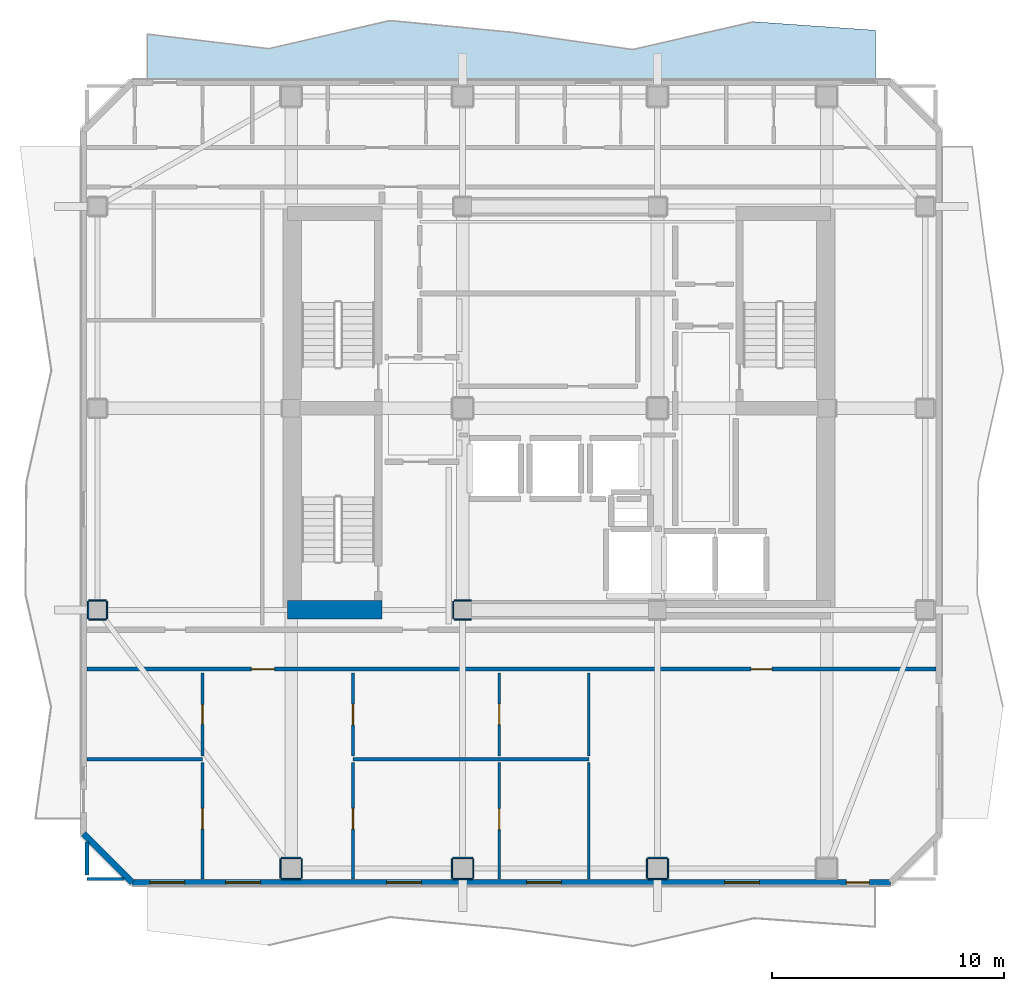
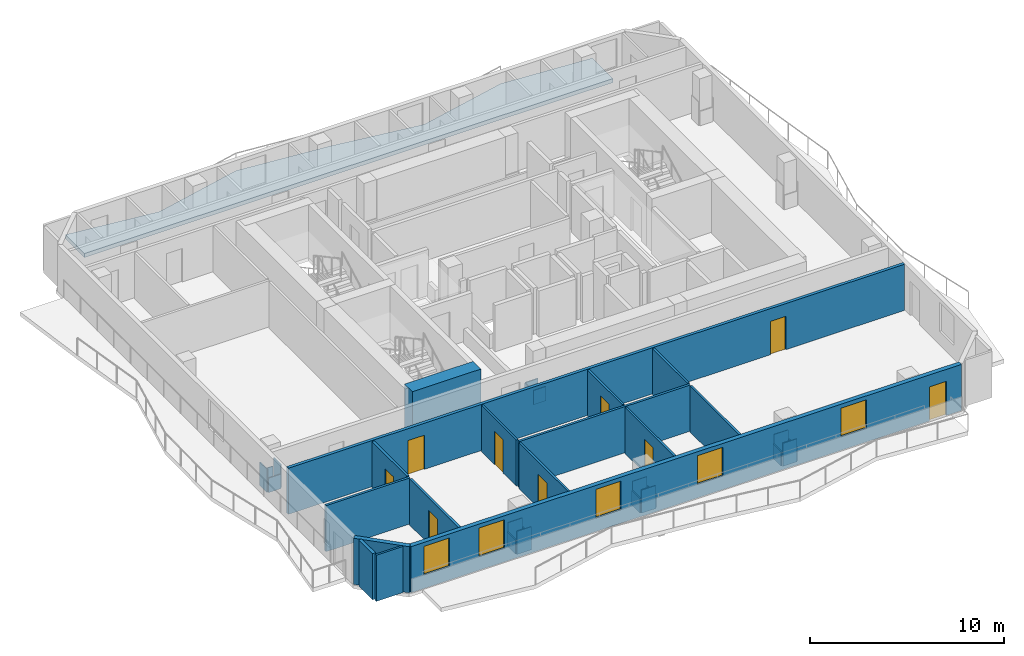
# One storey, part 2 of 10: 35 walls, 9 doors, 5 windows, 1 slab, 14 openings.
"""IFC4 building model written with IfcOpenShell, lengths in metres."""

from ifc_helpers import new_model, si_unit, direction, frame, frame_2d, origin, place, context, subcontext, project, spatial, polyline, rectangle, outline, extrude, material, layer, layer_set, type_object, element, fill, save


model = new_model("IFC4")

# Units and contexts
model_context = context("Model", 3, precision=1e-05, world=origin(), true_north=direction((0.0, 1.0)))
body_context = subcontext(model_context, "Body", "Model", "MODEL_VIEW")
ifc_project = project(units=[si_unit("LENGTHUNIT", "METRE"), si_unit("AREAUNIT", "SQUARE_METRE"), si_unit("VOLUMEUNIT", "CUBIC_METRE"), si_unit("PLANEANGLEUNIT", "RADIAN"), si_unit("MASSUNIT", "GRAM", prefix="KILO")], contexts=[model_context])

# Site, building, storey
site_placement = place(None, origin())
site = spatial("IfcSite", under=ifc_project, at=site_placement, CompositionType="ELEMENT")
building_placement = place(site_placement, origin())
building = spatial("IfcBuilding", under=site, at=building_placement, Name="Solanera Arch Residences", CompositionType="ELEMENT")
storey_placement = place(building_placement, frame((0.0, 0.0, 206.760009765625)))
storey = spatial("IfcBuildingStorey", under=building, at=storey_placement, Name="L60", CompositionType="ELEMENT", Elevation=206.760009765625)

# Slab
ifc_material_1 = material(Name="Concrete C40/50 (f'c = 45 MPa)", Category="concrete")
ifc_layer_1 = layer(ifc_material_1, 0.25)
ifc_layer_set_1 = layer_set([ifc_layer_1], Name="Concrete C40/50 (f'c = 45 MPa)")
slab_type = type_object("IfcSlabType", Name="Balcony Slab 250", PredefinedType="FLOOR", material=ifc_layer_set_1)
slab_placement = place(storey_placement, frame((0.0, 0.0, -0.25)))
element("IfcSlab", 1, at=slab_placement, inside=storey, type_object=slab_type, Name="L60 N Rippling Brise-Soleil Balcony Slab", PredefinedType="FLOOR", context=body_context, shape_type="SweptSolid", body=[
    extrude(outline(polyline([(38.60009765625, 47.006103515625), (33.366943359375, 47.3740234375), (28.133056640625, 46.177001953125), (22.89990234375, 46.923095703125), (17.6669921875, 47.425048828125), (12.43310546875, 46.2119140625), (7.199951171875, 46.840087890625), (7.199951171875, 44.8798828125), (38.60009765625, 44.8798828125), (38.60009765625, 47.006103515625)])), origin(), (0.0, 0.0, 1.0), 0.25),
])

# Walls
ifc_material_2 = material(Name="Fire-Rated Gypsum Stud Partition", Category="gypsum")
ifc_layer_2 = layer(ifc_material_2, 0.06005859375)
ifc_layer_set_2 = layer_set([ifc_layer_2], Name="Fire-Rated Gypsum Stud Partition")
wall_type_1 = type_object("IfcWallType", Name="Column Acoustic Furring Wall 60", PredefinedType="PARTITIONING", material=ifc_layer_set_2)
for number, where, z_axis, x_axis, name in (
    (2, (20.425048828125, 21.593017578125, 0.0), (0.0, 0.0, 1.0), (1.0, 0.0, 0.0), "L60 Column Furring 1S"),
    (3, (20.425048828125, 22.406982421875, 0.0), (0.0, 0.0, 1.0), (1.0, 0.0, 0.0), "L60 Column Furring 1N"),
):
    element("IfcWall", number, at=place(storey_placement, frame(where, z_axis=z_axis, x_axis=x_axis)), inside=storey, type_object=wall_type_1, Name=name, PredefinedType="PARTITIONING", context=body_context, shape_type="SweptSolid", body=[
        extrude(rectangle(XDim=0.741943359375, YDim=0.06005859375, at=frame_2d((0.37109375, 0.0))), origin(), (0.0, 0.0, 1.0), 0.905029296875),
    ])
wall_1_placement = place(storey_placement, frame((20.39306640625, 21.625, 0.0), z_axis=(0.0, 0.0, 1.0), x_axis=(0.0, 1.0, 0.0)))
element("IfcWall", 4, at=wall_1_placement, inside=storey, type_object=wall_type_1, Name="L60 Column Furring 1W", PredefinedType="PARTITIONING", context=body_context, shape_type="SweptSolid", body=[
    extrude(rectangle(XDim=0.75, YDim=0.06005859375, at=frame_2d((0.375, 0.0))), origin(), (0.0, 0.0, 1.0), 0.905029296875),
])
for number, where, z_axis, x_axis, name in (
    (5, (12.97509765625, 10.39306640625, 0.0), (0.0, 0.0, 1.0), (1.0, 0.0, 0.0), "L60 Column Furring 9S"),
    (6, (12.97509765625, 11.306884765625, 0.0), (0.0, 0.0, 1.0), (1.0, 0.0, 0.0), "L60 Column Furring 9N"),
):
    element("IfcWall", number, at=place(storey_placement, frame(where, z_axis=z_axis, x_axis=x_axis)), inside=storey, type_object=wall_type_1, Name=name, PredefinedType="PARTITIONING", context=body_context, shape_type="SweptSolid", body=[
        extrude(rectangle(XDim=0.849853515625, YDim=0.06005859375, at=frame_2d((0.4248046875, 0.0))), origin(), (0.0, 0.0, 1.0), 1.449951171875),
    ])
for number, where, z_axis, x_axis, name in (
    (7, (12.943115234375, 10.425048828125, 0.0), (0.0, 0.0, 1.0), (0.0, 1.0, 0.0), "L60 Column Furring 9W"),
    (8, (13.85693359375, 10.425048828125, 0.0), (0.0, 0.0, 1.0), (0.0, 1.0, 0.0), "L60 Column Furring 9E"),
):
    element("IfcWall", number, at=place(storey_placement, frame(where, z_axis=z_axis, x_axis=x_axis)), inside=storey, type_object=wall_type_1, Name=name, PredefinedType="PARTITIONING", context=body_context, shape_type="SweptSolid", body=[
        extrude(rectangle(XDim=0.849853515625, YDim=0.06005859375, at=frame_2d((0.4248046875, 0.0))), origin(), (0.0, 0.0, 1.0), 0.905029296875),
    ])
for number, where, z_axis, x_axis, name in (
    (9, (20.375, 10.39306640625, 0.0), (0.0, 0.0, 1.0), (1.0, 0.0, 0.0), "L60 Column Furring 11S"),
    (10, (20.375, 11.306884765625, 0.0), (0.0, 0.0, 1.0), (1.0, 0.0, 0.0), "L60 Column Furring 11N"),
):
    element("IfcWall", number, at=place(storey_placement, frame(where, z_axis=z_axis, x_axis=x_axis)), inside=storey, type_object=wall_type_1, Name=name, PredefinedType="PARTITIONING", context=body_context, shape_type="SweptSolid", body=[
        extrude(rectangle(XDim=0.85009765625, YDim=0.06005859375, at=frame_2d((0.425048828125, 0.0))), origin(), (0.0, 0.0, 1.0), 1.449951171875),
    ])
for number, where, z_axis, x_axis, name in (
    (11, (20.343017578125, 10.425048828125, 0.0), (0.0, 0.0, 1.0), (0.0, 1.0, 0.0), "L60 Column Furring 11W"),
    (12, (21.257080078125, 10.425048828125, 0.0), (0.0, 0.0, 1.0), (0.0, 1.0, 0.0), "L60 Column Furring 11E"),
):
    element("IfcWall", number, at=place(storey_placement, frame(where, z_axis=z_axis, x_axis=x_axis)), inside=storey, type_object=wall_type_1, Name=name, PredefinedType="PARTITIONING", context=body_context, shape_type="SweptSolid", body=[
        extrude(rectangle(XDim=0.849853515625, YDim=0.06005859375, at=frame_2d((0.4248046875, 0.0))), origin(), (0.0, 0.0, 1.0), 0.905029296875),
    ])
for number, where, z_axis, x_axis, name in (
    (13, (28.77490234375, 10.39306640625, 0.0), (0.0, 0.0, 1.0), (1.0, 0.0, 0.0), "L60 Column Furring 13S"),
    (14, (28.77490234375, 11.306884765625, 0.0), (0.0, 0.0, 1.0), (1.0, 0.0, 0.0), "L60 Column Furring 13N"),
):
    element("IfcWall", number, at=place(storey_placement, frame(where, z_axis=z_axis, x_axis=x_axis)), inside=storey, type_object=wall_type_1, Name=name, PredefinedType="PARTITIONING", context=body_context, shape_type="SweptSolid", body=[
        extrude(rectangle(XDim=0.85009765625, YDim=0.06005859375, at=frame_2d((0.425048828125, 0.0))), origin(), (0.0, 0.0, 1.0), 1.449951171875),
    ])
for number, where, z_axis, x_axis, name in (
    (15, (28.742919921875, 10.425048828125, 0.0), (0.0, 0.0, 1.0), (0.0, 1.0, 0.0), "L60 Column Furring 13W"),
    (16, (29.656982421875, 10.425048828125, 0.0), (0.0, 0.0, 1.0), (0.0, 1.0, 0.0), "L60 Column Furring 13E"),
):
    element("IfcWall", number, at=place(storey_placement, frame(where, z_axis=z_axis, x_axis=x_axis)), inside=storey, type_object=wall_type_1, Name=name, PredefinedType="PARTITIONING", context=body_context, shape_type="SweptSolid", body=[
        extrude(rectangle(XDim=0.849853515625, YDim=0.06005859375, at=frame_2d((0.4248046875, 0.0))), origin(), (0.0, 0.0, 1.0), 0.905029296875),
    ])
for number, where, z_axis, x_axis, name in (
    (17, (4.675048828125, 21.593017578125, 0.0), (0.0, 0.0, 1.0), (1.0, 0.0, 0.0), "L60 Column Furring 17S"),
    (18, (4.675048828125, 22.406982421875, 0.0), (0.0, 0.0, 1.0), (1.0, 0.0, 0.0), "L60 Column Furring 17N"),
):
    element("IfcWall", number, at=place(storey_placement, frame(where, z_axis=z_axis, x_axis=x_axis)), inside=storey, type_object=wall_type_1, Name=name, PredefinedType="PARTITIONING", context=body_context, shape_type="SweptSolid", body=[
        extrude(rectangle(XDim=0.75, YDim=0.06005859375, at=frame_2d((0.375, 0.0))), origin(), (0.0, 0.0, 1.0), 0.905029296875),
    ])
for number, where, z_axis, x_axis, name in (
    (19, (4.64306640625, 21.625, 0.0), (0.0, 0.0, 1.0), (0.0, 1.0, 0.0), "L60 Column Furring 17W"),
    (20, (5.45703125, 21.625, 0.0), (0.0, 0.0, 1.0), (0.0, 1.0, 0.0), "L60 Column Furring 17E"),
):
    element("IfcWall", number, at=place(storey_placement, frame(where, z_axis=z_axis, x_axis=x_axis)), inside=storey, type_object=wall_type_1, Name=name, PredefinedType="PARTITIONING", context=body_context, shape_type="SweptSolid", body=[
        extrude(rectangle(XDim=0.75, YDim=0.06005859375, at=frame_2d((0.375, 0.0))), origin(), (0.0, 0.0, 1.0), 1.449951171875),
    ])
ifc_material_3 = material(Name="Concrete C40/50 (f'c = 45 MPa)", Category="concrete")
ifc_layer_3 = layer(ifc_material_3, 0.800048828125)
ifc_layer_set_3 = layer_set([ifc_layer_3], Name="Concrete C40/50 (f'c = 45 MPa)")
wall_type_2 = type_object("IfcWallType", Name="Core Shear Wall CW-800", PredefinedType="SHEAR", material=ifc_layer_set_3)
wall_2_placement = place(storey_placement, frame((13.239990234375, 22.0, 0.0), z_axis=(0.0, 0.0, 1.0), x_axis=(1.0, 0.0, 0.0)))
element("IfcWall", 21, at=wall_2_placement, inside=storey, type_object=wall_type_2, Name="L60 South-West Core Shear Wall", PredefinedType="SHEAR", context=body_context, shape_type="SweptSolid", body=[
    extrude(rectangle(XDim=4.080078125, YDim=0.800048828125, at=frame_2d((2.0400390625, 0.0))), origin(), (0.0, 0.0, 1.0), 3.320068359375),
])

# Wall, openings, doors
ifc_material_4 = material(Name="Autoclaved Aerated Concrete Blockwork", Category="masonry")
ifc_layer_4 = layer(ifc_material_4, 0.179931640625)
ifc_layer_set_4 = layer_set([ifc_layer_4], Name="Autoclaved Aerated Concrete Blockwork")
wall_type_3 = type_object("IfcWallType", Name="Corridor Fire Partition 180", PredefinedType="PARTITIONING", material=ifc_layer_set_4)
wall_3_placement = place(storey_placement, frame((4.5869140625, 19.449951171875, 0.0), z_axis=(0.0, 0.0, 1.0), x_axis=(1.0, 0.0, 0.0)))
wall_3 = element("IfcWall", 22, at=wall_3_placement, inside=storey, type_object=wall_type_3, Name="L60 Interior Partition H7", PredefinedType="PARTITIONING", context=body_context, shape_type="SweptSolid", body=[
    extrude(rectangle(XDim=36.6259765625, YDim=0.179931640625, at=frame_2d((18.31298828125, 0.0))), origin(), (0.0, 0.0, 1.0), 2.89990234375),
])
opening_1_placement = place(wall_3_placement, frame((7.095947265625, 0.0, 0.0)))
opening_1 = element("IfcOpeningElement", 23, at=opening_1_placement, cuts=wall_3, Name="Opening DI-01", PredefinedType="OPENING", context=body_context, shape_type="SweptSolid", body=[
    extrude(rectangle(XDim=1.0, YDim=2.14990234375, at=frame_2d((0.5, 1.074951171875))), frame((0.0, 0.10009765625, 0.0), z_axis=(0.0, -1.0, 0.0), x_axis=(1.0, 0.0, 0.0)), (0.0, 0.0, 1.0), 0.1999),
])
opening_2_placement = place(wall_3_placement, frame((28.658935546875, 0.0, 0.0)))
opening_2 = element("IfcOpeningElement", 24, at=opening_2_placement, cuts=wall_3, Name="Opening DI-02", PredefinedType="OPENING", context=body_context, shape_type="SweptSolid", body=[
    extrude(rectangle(XDim=0.89990234375, YDim=2.10009765625, at=frame_2d((0.449951171875, 1.050048828125))), frame((0.0, 0.10009765625, 0.0), z_axis=(0.0, -1.0, 0.0), x_axis=(1.0, 0.0, 0.0)), (0.0, 0.0, 1.0), 0.1999),
])
ifc_material_5 = material(Name="Fire-Rated Architectural Hardwood", Category="wood")
door_type_1 = type_object("IfcDoorType", Name="Suite Room Swing Door DI-02", OperationType="NOTDEFINED", PredefinedType="DOOR", material=ifc_material_5)
door_1_placement = place(opening_2_placement, origin())
door_1 = element("IfcDoor", 25, at=door_1_placement, inside=storey, type_object=door_type_1, Name="DR-L60-IN-021", OperationType="SINGLE_SWING_RIGHT", OverallHeight=2.10009765625, OverallWidth=0.89990234375, PredefinedType="DOOR", context=body_context, shape_type="SweptSolid", body=[
    extrude(rectangle(XDim=0.89990234375, YDim=2.10009765625, at=frame_2d((0.449951171875, 1.050048828125))), frame((0.0, 0.02490234375, 0.0), z_axis=(0.0, -1.0, 0.0), x_axis=(1.0, 0.0, 0.0)), (0.0, 0.0, 1.0), 0.050048828125),
])
fill(opening_2, door_1)
ifc_material_6 = material(Name="Fire-Rated Architectural Hardwood", Category="wood")
door_type_2 = type_object("IfcDoorType", Name="Unit Entrance Fire Door DI-01", OperationType="NOTDEFINED", PredefinedType="DOOR", material=ifc_material_6)
door_2_placement = place(opening_1_placement, origin())
door_2 = element("IfcDoor", 26, at=door_2_placement, inside=storey, type_object=door_type_2, Name="DR-L60-IN-014", OperationType="SINGLE_SWING_LEFT", OverallHeight=2.14990234375, OverallWidth=1.0, PredefinedType="DOOR", context=body_context, shape_type="SweptSolid", body=[
    extrude(rectangle(XDim=1.0, YDim=2.14990234375, at=frame_2d((0.5, 1.074951171875))), frame((0.0, 0.02490234375, 0.0), z_axis=(0.0, -1.0, 0.0), x_axis=(1.0, 0.0, 0.0)), (0.0, 0.0, 1.0), 0.050048828125),
])
fill(opening_1, door_2)

# Wall
wall_4_placement = place(storey_placement, frame((4.60009765625, 10.55810546875, 0.0), z_axis=(0.0, 0.0, 1.0), x_axis=(0.0, 1.0, 0.0)))
element("IfcWall", 27, at=wall_4_placement, inside=storey, type_object=wall_type_3, Name="L60 Interior Partition V7 1", PredefinedType="PARTITIONING", context=body_context, shape_type="SweptSolid", body=[
    extrude(rectangle(XDim=1.430908203125, YDim=0.179931640625, at=frame_2d((0.71533203125, 0.0))), origin(), (0.0, 0.0, 1.0), 2.89990234375),
])

# Wall, openings, door, windows
ifc_material_7 = material(Name="Precast Concrete C35/45", Category="concrete")
ifc_layer_5 = layer(ifc_material_7, 0.260009765625)
ifc_layer_set_5 = layer_set([ifc_layer_5], Name="Precast Concrete C35/45")
wall_type_4 = type_object("IfcWallType", Name="Exterior Wall Precast Masonry-Frame 260", PredefinedType="STANDARD", material=ifc_layer_set_5)
wall_5_placement = place(storey_placement, frame((39.2548828125, 10.2451171875, 0.0), z_axis=(0.0, 0.0, 1.0), x_axis=(-1.0, 0.0, 0.0)))
wall_5 = element("IfcWall", 28, at=wall_5_placement, inside=storey, type_object=wall_type_4, Name="L60 Tower Exterior Precast Masonry-Frame Wall S", PredefinedType="STANDARD", context=body_context, shape_type="SweptSolid", body=[
    extrude(rectangle(XDim=32.7099609375, YDim=0.260009765625, at=frame_2d((16.35498046875, 0.0))), origin(), (0.0, 0.0, 1.0), 2.89990234375),
])
opening_3_placement = place(wall_5_placement, frame((0.906982421875, 0.0, 0.0)))
opening_3 = element("IfcOpeningElement", 29, at=opening_3_placement, cuts=wall_5, Name="Opening DB-01", PredefinedType="OPENING", context=body_context, shape_type="SweptSolid", body=[
    extrude(rectangle(XDim=1.0, YDim=2.14990234375, at=frame_2d((0.5, 1.074951171875))), frame((0.0, 0.139892578125, 0.0), z_axis=(0.0, -1.0, 0.0), x_axis=(1.0, 0.0, 0.0)), (0.0, 0.0, 1.0), 0.28),
])
opening_4_placement = place(wall_5_placement, frame((27.178955078125, 0.0, 0.85009765625)))
opening_4 = element("IfcOpeningElement", 30, at=opening_4_placement, cuts=wall_5, Name="Opening W-02", PredefinedType="OPENING", context=body_context, shape_type="SweptSolid", body=[
    extrude(rectangle(XDim=1.5, YDim=1.800048828125, at=frame_2d((0.75, 0.89990234375))), frame((0.0, 0.139892578125, 0.0), z_axis=(0.0, -1.0, 0.0), x_axis=(1.0, 0.0, 0.0)), (0.0, 0.0, 1.0), 0.28),
])
opening_5_placement = place(wall_5_placement, frame((30.448974609375, 0.0, 0.85009765625)))
opening_5 = element("IfcOpeningElement", 31, at=opening_5_placement, cuts=wall_5, Name="Opening W-02", PredefinedType="OPENING", context=body_context, shape_type="SweptSolid", body=[
    extrude(rectangle(XDim=1.5, YDim=1.800048828125, at=frame_2d((0.75, 0.89990234375))), frame((0.0, 0.139892578125, 0.0), z_axis=(0.0, -1.0, 0.0), x_axis=(1.0, 0.0, 0.0)), (0.0, 0.0, 1.0), 0.28),
])
opening_6_placement = place(wall_5_placement, frame((20.23291015625, 0.0, 0.85009765625)))
opening_6 = element("IfcOpeningElement", 32, at=opening_6_placement, cuts=wall_5, Name="Opening W-02", PredefinedType="OPENING", context=body_context, shape_type="SweptSolid", body=[
    extrude(rectangle(XDim=1.5, YDim=1.800048828125, at=frame_2d((0.75, 0.89990234375))), frame((0.0, 0.139892578125, 0.0), z_axis=(0.0, -1.0, 0.0), x_axis=(1.0, 0.0, 0.0)), (0.0, 0.0, 1.0), 0.28),
])
opening_7_placement = place(wall_5_placement, frame((14.195068359375, 0.0, 0.85009765625)))
opening_7 = element("IfcOpeningElement", 33, at=opening_7_placement, cuts=wall_5, Name="Opening W-02", PredefinedType="OPENING", context=body_context, shape_type="SweptSolid", body=[
    extrude(rectangle(XDim=1.5, YDim=1.800048828125, at=frame_2d((0.75, 0.89990234375))), frame((0.0, 0.139892578125, 0.0), z_axis=(0.0, -1.0, 0.0), x_axis=(1.0, 0.0, 0.0)), (0.0, 0.0, 1.0), 0.28),
])
opening_8_placement = place(wall_5_placement, frame((5.655029296875, 0.0, 0.85009765625)))
opening_8 = element("IfcOpeningElement", 34, at=opening_8_placement, cuts=wall_5, Name="Opening W-02", PredefinedType="OPENING", context=body_context, shape_type="SweptSolid", body=[
    extrude(rectangle(XDim=1.5, YDim=1.800048828125, at=frame_2d((0.75, 0.89990234375))), frame((0.0, 0.139892578125, 0.0), z_axis=(0.0, -1.0, 0.0), x_axis=(1.0, 0.0, 0.0)), (0.0, 0.0, 1.0), 0.28),
])
ifc_material_8 = material(Name="Anodised Aluminium Alloy 6063-T6", Category="aluminium")
door_type_3 = type_object("IfcDoorType", Name="Glazed Balcony Swing Door DB-01", OperationType="NOTDEFINED", PredefinedType="DOOR", material=ifc_material_8)
door_3_placement = place(opening_3_placement, origin())
door_3 = element("IfcDoor", 35, at=door_3_placement, inside=storey, type_object=door_type_3, Name="DR-L60-OUT-01", OperationType="SINGLE_SWING_RIGHT", OverallHeight=2.14990234375, OverallWidth=1.0, PredefinedType="DOOR", context=body_context, shape_type="SweptSolid", body=[
    extrude(rectangle(XDim=1.0, YDim=2.14990234375, at=frame_2d((0.5, 1.074951171875))), frame((0.0, 0.02490234375, 0.0), z_axis=(0.0, -1.0, 0.0), x_axis=(1.0, 0.0, 0.0)), (0.0, 0.0, 1.0), 0.050048828125),
])
fill(opening_3, door_3)
ifc_material_9 = material(Name="Double Glazed Low-E Laminated Glass", Category="glass")
window_type = type_object("IfcWindowType", Name="Punched Window W-02", PartitioningType="DOUBLE_PANEL_VERTICAL", PredefinedType="WINDOW", material=ifc_material_9)
window_1_placement = place(opening_4_placement, origin())
window_1 = element("IfcWindow", 36, at=window_1_placement, inside=storey, type_object=window_type, Name="L60 6001-LIV Punched Window", OverallHeight=1.800048828125, OverallWidth=1.5, PartitioningType="SINGLE_PANEL", PredefinedType="WINDOW", context=body_context, shape_type="SweptSolid", body=[
    extrude(rectangle(XDim=1.5, YDim=1.800048828125, at=frame_2d((0.75, 0.89990234375))), frame((0.0, 0.030029296875, 0.0), z_axis=(0.0, -1.0, 0.0), x_axis=(1.0, 0.0, 0.0)), (0.0, 0.0, 1.0), 0.06005859375),
])
fill(opening_4, window_1)
window_2_placement = place(opening_5_placement, origin())
window_2 = element("IfcWindow", 37, at=window_2_placement, inside=storey, type_object=window_type, Name="L60 6001-BR1 Punched Window", OverallHeight=1.800048828125, OverallWidth=1.5, PartitioningType="SINGLE_PANEL", PredefinedType="WINDOW", context=body_context, shape_type="SweptSolid", body=[
    extrude(rectangle(XDim=1.5, YDim=1.800048828125, at=frame_2d((0.75, 0.89990234375))), frame((0.0, 0.030029296875, 0.0), z_axis=(0.0, -1.0, 0.0), x_axis=(1.0, 0.0, 0.0)), (0.0, 0.0, 1.0), 0.06005859375),
])
fill(opening_5, window_2)
window_3_placement = place(opening_6_placement, origin())
window_3 = element("IfcWindow", 38, at=window_3_placement, inside=storey, type_object=window_type, Name="L60 6001-BR2 Punched Window", OverallHeight=1.800048828125, OverallWidth=1.5, PartitioningType="SINGLE_PANEL", PredefinedType="WINDOW", context=body_context, shape_type="SweptSolid", body=[
    extrude(rectangle(XDim=1.5, YDim=1.800048828125, at=frame_2d((0.75, 0.89990234375))), frame((0.0, 0.030029296875, 0.0), z_axis=(0.0, -1.0, 0.0), x_axis=(1.0, 0.0, 0.0)), (0.0, 0.0, 1.0), 0.06005859375),
])
fill(opening_6, window_3)
window_4_placement = place(opening_7_placement, origin())
window_4 = element("IfcWindow", 39, at=window_4_placement, inside=storey, type_object=window_type, Name="L60 6001-BR3 Punched Window", OverallHeight=1.800048828125, OverallWidth=1.5, PartitioningType="SINGLE_PANEL", PredefinedType="WINDOW", context=body_context, shape_type="SweptSolid", body=[
    extrude(rectangle(XDim=1.5, YDim=1.800048828125, at=frame_2d((0.75, 0.89990234375))), frame((0.0, 0.030029296875, 0.0), z_axis=(0.0, -1.0, 0.0), x_axis=(1.0, 0.0, 0.0)), (0.0, 0.0, 1.0), 0.06005859375),
])
fill(opening_7, window_4)
window_5_placement = place(opening_8_placement, origin())
window_5 = element("IfcWindow", 40, at=window_5_placement, inside=storey, type_object=window_type, Name="L60 AMN-LNG Punched Window", OverallHeight=1.800048828125, OverallWidth=1.5, PartitioningType="SINGLE_PANEL", PredefinedType="WINDOW", context=body_context, shape_type="SweptSolid", body=[
    extrude(rectangle(XDim=1.5, YDim=1.800048828125, at=frame_2d((0.75, 0.89990234375))), frame((0.0, 0.030029296875, 0.0), z_axis=(0.0, -1.0, 0.0), x_axis=(1.0, 0.0, 0.0)), (0.0, 0.0, 1.0), 0.06005859375),
])
fill(opening_8, window_5)

# Walls
wall_6_placement = place(storey_placement, frame((6.544921875, 10.2451171875, 0.0), z_axis=(0.0, 0.0, 1.0), x_axis=(-0.707106781187, 0.707106781187, 0.0)))
element("IfcWall", 41, at=wall_6_placement, inside=storey, type_object=wall_type_4, Name="L60 Tower Exterior Precast Masonry-Frame Wall CH7", PredefinedType="STANDARD", context=body_context, shape_type="SweptSolid", body=[
    extrude(rectangle(XDim=2.9697265625, YDim=0.260009765625, at=frame_2d((1.48486328125, 0.0))), origin(), (0.0, 0.0, 1.0), 2.89990234375),
])
ifc_material_10 = material(Name="Fire-Rated Gypsum Stud Partition", Category="gypsum")
ifc_layer_6 = layer(ifc_material_10, 0.1201171875)
ifc_layer_set_6 = layer_set([ifc_layer_6], Name="Fire-Rated Gypsum Stud Partition")
wall_type_5 = type_object("IfcWallType", Name="Unit Drywall Partition 120", PredefinedType="PARTITIONING", material=ifc_layer_set_6)
wall_7_placement = place(storey_placement, frame((4.60009765625, 10.39990234375, 0.0), z_axis=(0.0, 0.0, 1.0), x_axis=(1.0, 0.0, 0.0)))
element("IfcWall", 42, at=wall_7_placement, inside=storey, type_object=wall_type_5, Name="L60 Interior Partition H17 1", PredefinedType="PARTITIONING", context=body_context, shape_type="SweptSolid", body=[
    extrude(rectangle(XDim=1.5888671875, YDim=0.1201171875, at=frame_2d((0.79443359375, 0.0))), origin(), (0.0, 0.0, 1.0), 2.89990234375),
])

# Wall, opening, door
wall_8_placement = place(storey_placement, frame((16.069091796875, 10.386962890625, 0.0), z_axis=(0.0, 0.0, 1.0), x_axis=(0.0, 1.0, 0.0)))
wall_8 = element("IfcWall", 43, at=wall_8_placement, inside=storey, type_object=wall_type_5, Name="L60 Interior Partition V22 1", PredefinedType="PARTITIONING", context=body_context, shape_type="SweptSolid", body=[
    extrude(rectangle(XDim=5.033935546875, YDim=0.1201171875, at=frame_2d((2.51708984375, 0.0))), origin(), (0.0, 0.0, 1.0), 2.89990234375),
])
opening_9_placement = place(wall_8_placement, frame((2.155029296875, 0.0, 0.0)))
opening_9 = element("IfcOpeningElement", 44, at=opening_9_placement, cuts=wall_8, Name="Opening DI-03", PredefinedType="OPENING", context=body_context, shape_type="SweptSolid", body=[
    extrude(rectangle(XDim=0.89990234375, YDim=2.10009765625, at=frame_2d((0.449951171875, 1.050048828125))), frame((0.0, 0.070068359375, 0.0), z_axis=(0.0, -1.0, 0.0), x_axis=(1.0, 0.0, 0.0)), (0.0, 0.0, 1.0), 0.1401),
])
ifc_material_11 = material(Name="Fire-Rated Architectural Hardwood", Category="wood")
door_type_4 = type_object("IfcDoorType", Name="Bedroom Swing Door DI-03", OperationType="NOTDEFINED", PredefinedType="DOOR", material=ifc_material_11)
door_4_placement = place(opening_9_placement, origin())
door_4 = element("IfcDoor", 45, at=door_4_placement, inside=storey, type_object=door_type_4, Name="DR-L60-IN-019", OperationType="SINGLE_SWING_RIGHT", OverallHeight=2.10009765625, OverallWidth=0.89990234375, PredefinedType="DOOR", context=body_context, shape_type="SweptSolid", body=[
    extrude(rectangle(XDim=0.89990234375, YDim=2.10009765625, at=frame_2d((0.449951171875, 1.050048828125))), frame((0.0, 0.02490234375, 0.0), z_axis=(0.0, -1.0, 0.0), x_axis=(1.0, 0.0, 0.0)), (0.0, 0.0, 1.0), 0.050048828125),
])
fill(opening_9, door_4)

wall_9_placement = place(storey_placement, frame((16.069091796875, 15.697021484375, 0.0), z_axis=(0.0, 0.0, 1.0), x_axis=(0.0, 1.0, 0.0)))
wall_9 = element("IfcWall", 46, at=wall_9_placement, inside=storey, type_object=wall_type_5, Name="L60 Interior Partition V22 2", PredefinedType="PARTITIONING", context=body_context, shape_type="SweptSolid", body=[
    extrude(rectangle(XDim=3.594970703125, YDim=0.1201171875, at=frame_2d((1.79736328125, 0.0))), origin(), (0.0, 0.0, 1.0), 2.89990234375),
])
opening_10_placement = place(wall_9_placement, frame((1.344970703125, 0.0, 0.0)))
opening_10 = element("IfcOpeningElement", 47, at=opening_10_placement, cuts=wall_9, Name="Opening DI-02", PredefinedType="OPENING", context=body_context, shape_type="SweptSolid", body=[
    extrude(rectangle(XDim=0.89990234375, YDim=2.10009765625, at=frame_2d((0.449951171875, 1.050048828125))), frame((0.0, 0.070068359375, 0.0), z_axis=(0.0, -1.0, 0.0), x_axis=(1.0, 0.0, 0.0)), (0.0, 0.0, 1.0), 0.1401),
])
door_5_placement = place(opening_10_placement, origin())
door_5 = element("IfcDoor", 48, at=door_5_placement, inside=storey, type_object=door_type_1, Name="DR-L60-IN-017", OperationType="SINGLE_SWING_RIGHT", OverallHeight=2.10009765625, OverallWidth=0.89990234375, PredefinedType="DOOR", context=body_context, shape_type="SweptSolid", body=[
    extrude(rectangle(XDim=0.89990234375, YDim=2.10009765625, at=frame_2d((0.449951171875, 1.050048828125))), frame((0.0, 0.02490234375, 0.0), z_axis=(0.0, -1.0, 0.0), x_axis=(1.0, 0.0, 0.0)), (0.0, 0.0, 1.0), 0.050048828125),
])
fill(opening_10, door_5)

wall_10_placement = place(storey_placement, frame((22.3798828125, 10.386962890625, 0.0), z_axis=(0.0, 0.0, 1.0), x_axis=(0.0, 1.0, 0.0)))
wall_10 = element("IfcWall", 49, at=wall_10_placement, inside=storey, type_object=wall_type_5, Name="L60 Interior Partition V24 1", PredefinedType="PARTITIONING", context=body_context, shape_type="SweptSolid", body=[
    extrude(rectangle(XDim=5.033935546875, YDim=0.1201171875, at=frame_2d((2.51708984375, 0.0))), origin(), (0.0, 0.0, 1.0), 2.89990234375),
])
opening_11_placement = place(wall_10_placement, frame((2.14208984375, 0.0, 0.0)))
opening_11 = element("IfcOpeningElement", 50, at=opening_11_placement, cuts=wall_10, Name="Opening DI-03", PredefinedType="OPENING", context=body_context, shape_type="SweptSolid", body=[
    extrude(rectangle(XDim=0.89990234375, YDim=2.10009765625, at=frame_2d((0.449951171875, 1.050048828125))), frame((0.0, 0.070068359375, 0.0), z_axis=(0.0, -1.0, 0.0), x_axis=(1.0, 0.0, 0.0)), (0.0, 0.0, 1.0), 0.1401),
])
door_6_placement = place(opening_11_placement, origin())
door_6 = element("IfcDoor", 51, at=door_6_placement, inside=storey, type_object=door_type_4, Name="DR-L60-IN-020", OperationType="SINGLE_SWING_LEFT", OverallHeight=2.10009765625, OverallWidth=0.89990234375, PredefinedType="DOOR", context=body_context, shape_type="SweptSolid", body=[
    extrude(rectangle(XDim=0.89990234375, YDim=2.10009765625, at=frame_2d((0.449951171875, 1.050048828125))), frame((0.0, 0.02490234375, 0.0), z_axis=(0.0, -1.0, 0.0), x_axis=(1.0, 0.0, 0.0)), (0.0, 0.0, 1.0), 0.050048828125),
])
fill(opening_11, door_6)

wall_11_placement = place(storey_placement, frame((22.3798828125, 15.697021484375, 0.0), z_axis=(0.0, 0.0, 1.0), x_axis=(0.0, 1.0, 0.0)))
wall_11 = element("IfcWall", 52, at=wall_11_placement, inside=storey, type_object=wall_type_5, Name="L60 Interior Partition V24 2", PredefinedType="PARTITIONING", context=body_context, shape_type="SweptSolid", body=[
    extrude(rectangle(XDim=3.594970703125, YDim=0.1201171875, at=frame_2d((1.79736328125, 0.0))), origin(), (0.0, 0.0, 1.0), 2.89990234375),
])
opening_12_placement = place(wall_11_placement, frame((1.35791015625, 0.0, 0.0)))
opening_12 = element("IfcOpeningElement", 53, at=opening_12_placement, cuts=wall_11, Name="Opening DI-02", PredefinedType="OPENING", context=body_context, shape_type="SweptSolid", body=[
    extrude(rectangle(XDim=0.89990234375, YDim=2.10009765625, at=frame_2d((0.449951171875, 1.050048828125))), frame((0.0, 0.070068359375, 0.0), z_axis=(0.0, -1.0, 0.0), x_axis=(1.0, 0.0, 0.0)), (0.0, 0.0, 1.0), 0.1401),
])
door_7_placement = place(opening_12_placement, origin())
door_7 = element("IfcDoor", 54, at=door_7_placement, inside=storey, type_object=door_type_1, Name="DR-L60-IN-018", OperationType="SINGLE_SWING_LEFT", OverallHeight=2.10009765625, OverallWidth=0.89990234375, PredefinedType="DOOR", context=body_context, shape_type="SweptSolid", body=[
    extrude(rectangle(XDim=0.89990234375, YDim=2.10009765625, at=frame_2d((0.449951171875, 1.050048828125))), frame((0.0, 0.02490234375, 0.0), z_axis=(0.0, -1.0, 0.0), x_axis=(1.0, 0.0, 0.0)), (0.0, 0.0, 1.0), 0.050048828125),
])
fill(opening_12, door_7)

# Walls
wall_12_placement = place(storey_placement, frame((26.240966796875, 10.386962890625, 0.0), z_axis=(0.0, 0.0, 1.0), x_axis=(0.0, 1.0, 0.0)))
element("IfcWall", 55, at=wall_12_placement, inside=storey, type_object=wall_type_5, Name="L60 Interior Partition V25 1", PredefinedType="PARTITIONING", context=body_context, shape_type="SweptSolid", body=[
    extrude(rectangle(XDim=5.033935546875, YDim=0.1201171875, at=frame_2d((2.51708984375, 0.0))), origin(), (0.0, 0.0, 1.0), 2.89990234375),
])
wall_13_placement = place(storey_placement, frame((26.240966796875, 15.697021484375, 0.0), z_axis=(0.0, 0.0, 1.0), x_axis=(0.0, 1.0, 0.0)))
element("IfcWall", 56, at=wall_13_placement, inside=storey, type_object=wall_type_5, Name="L60 Interior Partition V25 2", PredefinedType="PARTITIONING", context=body_context, shape_type="SweptSolid", body=[
    extrude(rectangle(XDim=3.594970703125, YDim=0.1201171875, at=frame_2d((1.79736328125, 0.0))), origin(), (0.0, 0.0, 1.0), 2.89990234375),
])
ifc_material_12 = material(Name="Autoclaved Aerated Concrete Blockwork", Category="masonry")
ifc_layer_7 = layer(ifc_material_12, 0.139892578125)
ifc_layer_set_7 = layer_set([ifc_layer_7], Name="Autoclaved Aerated Concrete Blockwork")
wall_type_6 = type_object("IfcWallType", Name="Wet-Room Partition 140", PredefinedType="PARTITIONING", material=ifc_layer_set_7)
wall_14_placement = place(storey_placement, frame((4.5869140625, 15.55908203125, 0.0), z_axis=(0.0, 0.0, 1.0), x_axis=(1.0, 0.0, 0.0)))
element("IfcWall", 57, at=wall_14_placement, inside=storey, type_object=wall_type_6, Name="L60 Interior Partition H13", PredefinedType="PARTITIONING", context=body_context, shape_type="SweptSolid", body=[
    extrude(rectangle(XDim=4.989990234375, YDim=0.139892578125, at=frame_2d((2.4951171875, 0.0))), origin(), (0.0, 0.0, 1.0), 2.89990234375),
])
wall_15_placement = place(storey_placement, frame((16.069091796875, 15.55908203125, 0.0), z_axis=(0.0, 0.0, 1.0), x_axis=(1.0, 0.0, 0.0)))
element("IfcWall", 58, at=wall_15_placement, inside=storey, type_object=wall_type_6, Name="L60 Interior Partition H14", PredefinedType="PARTITIONING", context=body_context, shape_type="SweptSolid", body=[
    extrude(rectangle(XDim=10.171875, YDim=0.139892578125, at=frame_2d((5.0859375, 0.0))), origin(), (0.0, 0.0, 1.0), 2.89990234375),
])

# Wall, opening, door
wall_16_placement = place(storey_placement, frame((9.576904296875, 10.386962890625, 0.0), z_axis=(0.0, 0.0, 1.0), x_axis=(0.0, 1.0, 0.0)))
wall_16 = element("IfcWall", 59, at=wall_16_placement, inside=storey, type_object=wall_type_6, Name="L60 Interior Partition V13 1", PredefinedType="PARTITIONING", context=body_context, shape_type="SweptSolid", body=[
    extrude(rectangle(XDim=5.02392578125, YDim=0.139892578125, at=frame_2d((2.511962890625, 0.0))), origin(), (0.0, 0.0, 1.0), 2.89990234375),
])
opening_13_placement = place(wall_16_placement, frame((2.155029296875, 0.0, 0.0)))
opening_13 = element("IfcOpeningElement", 60, at=opening_13_placement, cuts=wall_16, Name="Opening DI-03", PredefinedType="OPENING", context=body_context, shape_type="SweptSolid", body=[
    extrude(rectangle(XDim=0.89990234375, YDim=2.10009765625, at=frame_2d((0.449951171875, 1.050048828125))), frame((0.0, 0.079833984375, 0.0), z_axis=(0.0, -1.0, 0.0), x_axis=(1.0, 0.0, 0.0)), (0.0, 0.0, 1.0), 0.1599),
])
door_8_placement = place(opening_13_placement, origin())
door_8 = element("IfcDoor", 61, at=door_8_placement, inside=storey, type_object=door_type_4, Name="DR-L60-IN-016", OperationType="SINGLE_SWING_LEFT", OverallHeight=2.10009765625, OverallWidth=0.89990234375, PredefinedType="DOOR", context=body_context, shape_type="SweptSolid", body=[
    extrude(rectangle(XDim=0.89990234375, YDim=2.10009765625, at=frame_2d((0.449951171875, 1.050048828125))), frame((0.0, 0.02490234375, 0.0), z_axis=(0.0, -1.0, 0.0), x_axis=(1.0, 0.0, 0.0)), (0.0, 0.0, 1.0), 0.050048828125),
])
fill(opening_13, door_8)

wall_17_placement = place(storey_placement, frame((9.576904296875, 15.70703125, 0.0), z_axis=(0.0, 0.0, 1.0), x_axis=(0.0, 1.0, 0.0)))
wall_17 = element("IfcWall", 62, at=wall_17_placement, inside=storey, type_object=wall_type_6, Name="L60 Interior Partition V13 2", PredefinedType="PARTITIONING", context=body_context, shape_type="SweptSolid", body=[
    extrude(rectangle(XDim=3.574951171875, YDim=0.139892578125, at=frame_2d((1.78759765625, 0.0))), origin(), (0.0, 0.0, 1.0), 2.89990234375),
])
opening_14_placement = place(wall_17_placement, frame((1.35498046875, 0.0, 0.0)))
opening_14 = element("IfcOpeningElement", 63, at=opening_14_placement, cuts=wall_17, Name="Opening DI-05", PredefinedType="OPENING", context=body_context, shape_type="SweptSolid", body=[
    extrude(rectangle(XDim=0.860107421875, YDim=2.02001953125, at=frame_2d((0.43017578125, 1.010009765625))), frame((0.0, 0.079833984375, 0.0), z_axis=(0.0, -1.0, 0.0), x_axis=(1.0, 0.0, 0.0)), (0.0, 0.0, 1.0), 0.1599),
])
ifc_material_13 = material(Name="Fire-Rated Architectural Hardwood", Category="wood")
door_type_5 = type_object("IfcDoorType", Name="Bathroom Swing Door DI-05", OperationType="NOTDEFINED", PredefinedType="DOOR", material=ifc_material_13)
door_9_placement = place(opening_14_placement, origin())
door_9 = element("IfcDoor", 64, at=door_9_placement, inside=storey, type_object=door_type_5, Name="DR-L60-IN-015", OperationType="SINGLE_SWING_RIGHT", OverallHeight=2.02001953125, OverallWidth=0.860107421875, PredefinedType="DOOR", context=body_context, shape_type="SweptSolid", body=[
    extrude(rectangle(XDim=0.860107421875, YDim=2.02001953125, at=frame_2d((0.43017578125, 1.010009765625))), frame((0.0, 0.02490234375, 0.0), z_axis=(0.0, -1.0, 0.0), x_axis=(1.0, 0.0, 0.0)), (0.0, 0.0, 1.0), 0.050048828125),
])
fill(opening_14, door_9)

save(model, "model.ifc")
